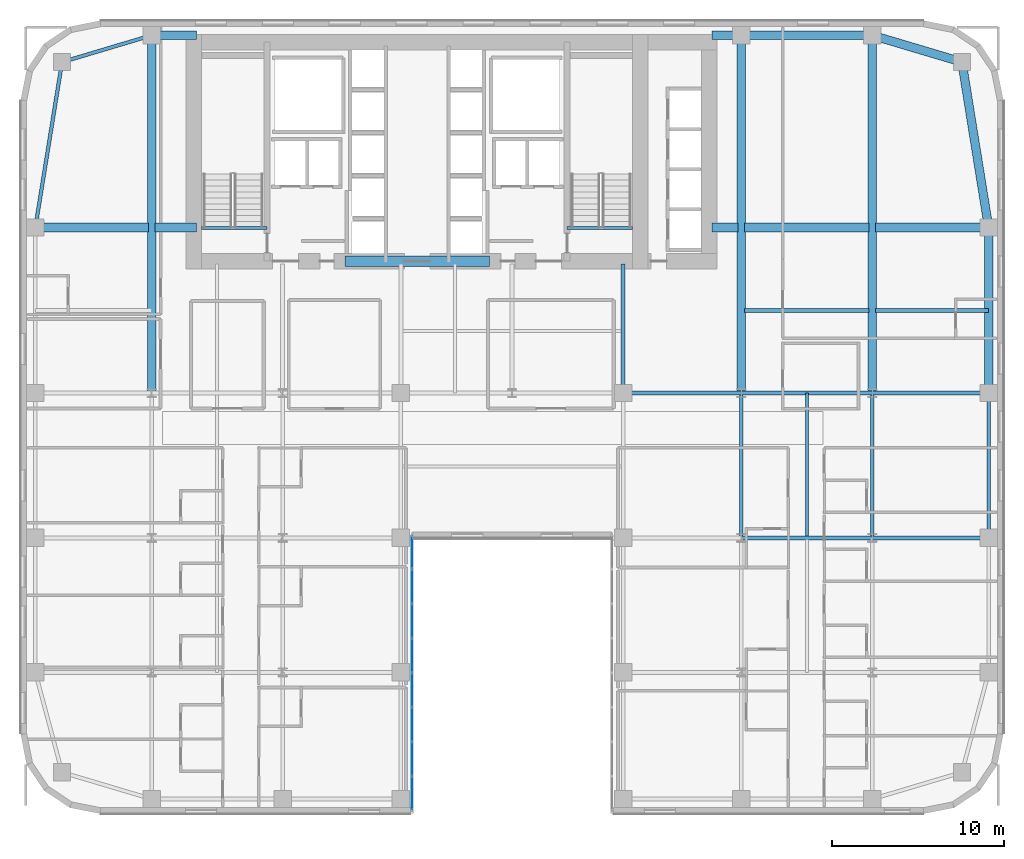
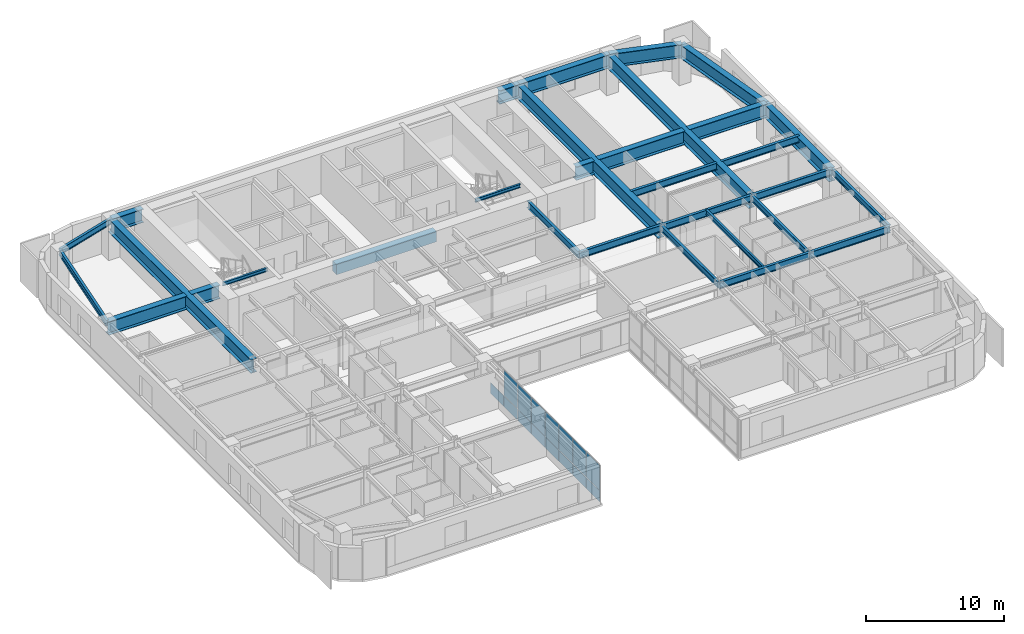
# One storey, part 12 of 25: 31 beams, 15 plates, 1 element without a shape of its own.
"""IFC4 building model written with IfcOpenShell, lengths in metres."""

from ifc_helpers import new_model, si_unit, direction, frame, origin, origin_2d, place, context, subcontext, project, spatial, rectangle, i_section, extrude, source, transform, mapped, material, layer, layer_set, material_profile, profile_set, type_object, type_shapes, element, aggregate, save


model = new_model("IFC4")

# Units and contexts
model_context = context("Model", 3, precision=1e-05, world=origin(), true_north=direction((0.0, 1.0)))
body_context = subcontext(model_context, "Body", "Model", "MODEL_VIEW")
ifc_project = project(units=[si_unit("LENGTHUNIT", "METRE"), si_unit("AREAUNIT", "SQUARE_METRE"), si_unit("VOLUMEUNIT", "CUBIC_METRE"), si_unit("PLANEANGLEUNIT", "RADIAN"), si_unit("MASSUNIT", "GRAM", prefix="KILO")], contexts=[model_context])

# Site, building, storey
site_placement = place(None, origin())
site = spatial("IfcSite", under=ifc_project, at=site_placement, CompositionType="ELEMENT")
building_placement = place(site_placement, origin())
building = spatial("IfcBuilding", under=site, at=building_placement, Name="Tolvann Quenvar Hotel", CompositionType="ELEMENT")
storey_placement = place(building_placement, frame((0.0, 0.0, 39.10009765625)))
storey = spatial("IfcBuildingStorey", under=building, at=storey_placement, Name="L08", CompositionType="ELEMENT", Elevation=39.10009765625)

# Beams
ifc_material_1 = material(Name="Concrete N50 (50 MPa)", Category="concrete")
ifc_material_profile_1 = material_profile(ifc_material_1, rectangle(XDim=0.60009765625, YDim=0.89990234375, at=origin_2d()), Name="RC600x900")
ifc_profile_set_1 = profile_set([ifc_material_profile_1], Name="Concrete N50 (50 MPa)")
beam_type_1 = type_object("IfcBeamType", Name="BM_LINT_RC600x900", PredefinedType="LINTEL", material=ifc_profile_set_1)
shared_shape_1 = source(origin(), body_context, "Body", "SweptSolid", [
    extrude(rectangle(XDim=0.60009765625, YDim=0.89990234375, at=origin_2d()), origin(), (0.0, 0.0, 1.0), 8.39990234375),
])
type_shapes(beam_type_1, [shared_shape_1])
beam_1_placement = place(storey_placement, frame((18.800048828125, 32.050048828125, 2.919921875), z_axis=(1.0, 0.0, 0.0), x_axis=(0.0, 1.0, 0.0)))
element("IfcBeam", 1, at=beam_1_placement, inside=storey, type_object=beam_type_1, Name="Core Coupling Lintel Beam (L08)", PredefinedType="LINTEL", context=body_context, shape_type="MappedRepresentation", body=[
    mapped(shared_shape_1, transform((0.0, 0.0, 0.0), x_axis=(1.0, 0.0, 0.0), y_axis=(0.0, 1.0, 0.0), z_axis=(0.0, 0.0, 1.0), scale=1.0)),
])
ifc_material_2 = material(Name="Steel Grade 350", Category="steel")
ifc_material_profile_2 = material_profile(ifc_material_2, i_section(OverallWidth=0.5, OverallDepth=1.199951171875, WebThickness=0.01611328125, FlangeThickness=0.0400390625, at=origin_2d()), Name="1200WB455")
ifc_profile_set_2 = profile_set([ifc_material_profile_2], Name="Steel Grade 350")
beam_type_2 = type_object("IfcBeamType", Name="BM_TG_1200WB455", PredefinedType="USERDEFINED", material=ifc_profile_set_2)
shared_shape_2 = source(origin(), body_context, "Body", "SweptSolid", [
    extrude(i_section(OverallWidth=0.5, OverallDepth=1.199951171875, WebThickness=0.01611328125, FlangeThickness=0.0400390625, at=origin_2d()), origin(), (0.0, 0.0, 1.0), 7.599853515625),
])
beam_2_placement = place(storey_placement, frame((49.39990234375, 45.14990234375, 2.77001953125), z_axis=(-1.0, 0.0, 0.0), x_axis=(0.0, -1.0, 0.0)))
element("IfcBeam", 2, at=beam_2_placement, inside=storey, type_object=beam_type_2, Name="BM-L08-FLK-E4", ObjectType="TRANSFER GIRDER", PredefinedType="USERDEFINED", context=body_context, shape_type="MappedRepresentation", body=[
    mapped(shared_shape_2, transform((0.0, 0.0, 0.0), x_axis=(1.0, 0.0, 0.0), y_axis=(0.0, 1.0, 0.0), z_axis=(0.0, 0.0, 1.0), scale=1.0)),
])
shared_shape_3 = source(origin(), body_context, "Body", "SweptSolid", [
    extrude(i_section(OverallWidth=0.5, OverallDepth=1.199951171875, WebThickness=0.01611328125, FlangeThickness=0.0400390625, at=origin_2d()), origin(), (0.0, 0.0, 1.0), 9.60009765625),
])
beam_3_placement = place(storey_placement, frame((56.14990234375, 24.39990234375, 2.77001953125), z_axis=(0.0, 1.0, 0.0), x_axis=(-1.0, 0.0, 0.0)))
element("IfcBeam", 3, at=beam_3_placement, inside=storey, type_object=beam_type_2, Name="BM-L08-FLK-E1", ObjectType="TRANSFER GIRDER", PredefinedType="USERDEFINED", context=body_context, shape_type="MappedRepresentation", body=[
    mapped(shared_shape_3, transform((0.0, 0.0, 0.0), x_axis=(1.0, 0.0, 0.0), y_axis=(0.0, 1.0, 0.0), z_axis=(0.0, 0.0, 1.0), scale=1.0)),
])
ifc_material_profile_3 = material_profile(ifc_material_2, i_section(OverallWidth=0.208984375, OverallDepth=0.528076171875, WebThickness=0.009521484375, FlangeThickness=0.01318359375, FilletRadius=0.013916015625, at=origin_2d()), Name="530UB82")
ifc_profile_set_3 = profile_set([ifc_material_profile_3], Name="Steel Grade 350")
beam_type_3 = type_object("IfcBeamType", Name="BM_SPAND_530UB82", PredefinedType="SPANDREL", material=ifc_profile_set_3)
shared_shape_4 = source(origin(), body_context, "Body", "SweptSolid", [
    extrude(i_section(OverallWidth=0.208984375, OverallDepth=0.528076171875, WebThickness=0.009521484375, FlangeThickness=0.01318359375, FilletRadius=0.013916015625, at=origin_2d()), origin(), (0.0, 0.0, 1.0), 5.42626953125),
])
beam_4_placement = place(storey_placement, frame((2.39990234375, 43.60009765625, 3.10595703125), z_axis=(0.958344815522, 0.285613750654, 0.0), x_axis=(-0.285613750654, 0.958344815522, 0.0)))
element("IfcBeam", 4, at=beam_4_placement, inside=storey, type_object=beam_type_3, Name="BM-L08-FLK-W3", PredefinedType="SPANDREL", context=body_context, shape_type="MappedRepresentation", body=[
    mapped(shared_shape_4, transform((0.0, 0.0, 0.0), x_axis=(1.0, 0.0, 0.0), y_axis=(0.0, 1.0, 0.0), z_axis=(0.0, 0.0, 1.0), scale=1.0)),
])
ifc_material_profile_4 = material_profile(ifc_material_2, i_section(OverallWidth=0.22900390625, OverallDepth=0.612060546875, WebThickness=0.011962890625, FlangeThickness=0.01953125, FilletRadius=0.013916015625, at=origin_2d()), Name="610UB125")
ifc_profile_set_4 = profile_set([ifc_material_profile_4], Name="Steel Grade 350")
beam_type_4 = type_object("IfcBeamType", Name="BM_GIRD_610UB125", PredefinedType="BEAM", material=ifc_profile_set_4)
shared_shape_5 = source(origin(), body_context, "Body", "SweptSolid", [
    extrude(i_section(OverallWidth=0.22900390625, OverallDepth=0.612060546875, WebThickness=0.011962890625, FlangeThickness=0.01953125, FilletRadius=0.013916015625, at=origin_2d()), origin(), (0.0, 0.0, 1.0), 6.75),
])
for number, where, z_axis, x_axis, name in (
    (5, (49.39990234375, 16.0, 3.06396484375), (1.0, 0.0, 0.0), (0.0, 1.0, 0.0), "BM-L08-EW-4-I4-J4"),
    (6, (49.39990234375, 24.39990234375, 3.06396484375), (1.0, 0.0, 0.0), (0.0, 1.0, 0.0), "BM-L08-EW-5-I5-J5"),
):
    element("IfcBeam", number, at=place(storey_placement, frame(where, z_axis=z_axis, x_axis=x_axis)), inside=storey, type_object=beam_type_4, Name=name, PredefinedType="BEAM", context=body_context, shape_type="MappedRepresentation", body=[
        mapped(shared_shape_5, transform((0.0, 0.0, 0.0), x_axis=(1.0, 0.0, 0.0), y_axis=(0.0, 1.0, 0.0), z_axis=(0.0, 0.0, 1.0), scale=1.0)),
    ])
shared_shape_6 = source(origin(), body_context, "Body", "SweptSolid", [
    extrude(i_section(OverallWidth=0.22900390625, OverallDepth=0.612060546875, WebThickness=0.011962890625, FlangeThickness=0.01953125, FilletRadius=0.013916015625, at=origin_2d()), origin(), (0.0, 0.0, 1.0), 7.599853515625),
])
for number, where, z_axis, x_axis, name in (
    (7, (41.800048828125, 16.0, 3.06396484375), (1.0, 0.0, 0.0), (0.0, 1.0, 0.0), "BM-L08-EW-4-H4-I4"),
    (8, (41.800048828125, 24.39990234375, 3.06396484375), (1.0, 0.0, 0.0), (0.0, 1.0, 0.0), "BM-L08-EW-5-H5-I5"),
):
    element("IfcBeam", number, at=place(storey_placement, frame(where, z_axis=z_axis, x_axis=x_axis)), inside=storey, type_object=beam_type_4, Name=name, PredefinedType="BEAM", context=body_context, shape_type="MappedRepresentation", body=[
        mapped(shared_shape_6, transform((0.0, 0.0, 0.0), x_axis=(1.0, 0.0, 0.0), y_axis=(0.0, 1.0, 0.0), z_axis=(0.0, 0.0, 1.0), scale=1.0)),
    ])
shared_shape_7 = source(origin(), body_context, "Body", "SweptSolid", [
    extrude(i_section(OverallWidth=0.22900390625, OverallDepth=0.612060546875, WebThickness=0.011962890625, FlangeThickness=0.01953125, FilletRadius=0.013916015625, at=origin_2d()), origin(), (0.0, 0.0, 1.0), 6.85009765625),
])
beam_5_placement = place(storey_placement, frame((34.949951171875, 24.39990234375, 3.06396484375), z_axis=(1.0, 0.0, 0.0), x_axis=(0.0, 1.0, 0.0)))
element("IfcBeam", 9, at=beam_5_placement, inside=storey, type_object=beam_type_4, Name="BM-L08-EW-5-F5-H5", PredefinedType="BEAM", context=body_context, shape_type="MappedRepresentation", body=[
    mapped(shared_shape_7, transform((0.0, 0.0, 0.0), x_axis=(1.0, 0.0, 0.0), y_axis=(0.0, 1.0, 0.0), z_axis=(0.0, 0.0, 1.0), scale=1.0)),
])
shared_shape_8 = source(origin(), body_context, "Body", "SweptSolid", [
    extrude(i_section(OverallWidth=0.208984375, OverallDepth=0.528076171875, WebThickness=0.009521484375, FlangeThickness=0.01318359375, FilletRadius=0.013916015625, at=origin_2d()), origin(), (0.0, 0.0, 1.0), 8.39990234375),
])
beam_6_placement = place(storey_placement, frame((56.14990234375, 16.0, 3.10595703125), z_axis=(0.0, 1.0, 0.0), x_axis=(-1.0, 0.0, 0.0)))
element("IfcBeam", 10, at=beam_6_placement, inside=storey, type_object=beam_type_3, Name="BM-L08-NS-J4-J5", PredefinedType="SPANDREL", context=body_context, shape_type="MappedRepresentation", body=[
    mapped(shared_shape_8, transform((0.0, 0.0, 0.0), x_axis=(1.0, 0.0, 0.0), y_axis=(0.0, 1.0, 0.0), z_axis=(0.0, 0.0, 1.0), scale=1.0)),
])
ifc_material_profile_5 = material_profile(ifc_material_2, i_section(OverallWidth=0.208984375, OverallDepth=0.532958984375, WebThickness=0.01025390625, FlangeThickness=0.015625, FilletRadius=0.013916015625, at=origin_2d()), Name="530UB92")
ifc_profile_set_5 = profile_set([ifc_material_profile_5], Name="Steel Grade 350")
beam_type_5 = type_object("IfcBeamType", Name="BM_GIRD_530UB92", PredefinedType="BEAM", material=ifc_profile_set_5)
shared_shape_9 = source(origin(), body_context, "Body", "SweptSolid", [
    extrude(i_section(OverallWidth=0.208984375, OverallDepth=0.532958984375, WebThickness=0.01025390625, FlangeThickness=0.015625, FilletRadius=0.013916015625, at=origin_2d()), origin(), (0.0, 0.0, 1.0), 8.39990234375),
])
type_shapes(beam_type_5, [shared_shape_9])
for number, where, z_axis, x_axis, name in (
    (11, (41.800048828125, 16.0, 3.103515625), (0.0, 1.0, 0.0), (-1.0, 0.0, 0.0), "BM-L08-NS-H4-H5"),
    (12, (49.39990234375, 16.0, 3.103515625), (0.0, 1.0, 0.0), (-1.0, 0.0, 0.0), "BM-L08-NS-I4-I5"),
):
    element("IfcBeam", number, at=place(storey_placement, frame(where, z_axis=z_axis, x_axis=x_axis)), inside=storey, type_object=beam_type_5, Name=name, PredefinedType="BEAM", context=body_context, shape_type="MappedRepresentation", body=[
        mapped(shared_shape_9, transform((0.0, 0.0, 0.0), x_axis=(1.0, 0.0, 0.0), y_axis=(0.0, 1.0, 0.0), z_axis=(0.0, 0.0, 1.0), scale=1.0)),
    ])
shared_shape_10 = source(origin(), body_context, "Body", "SweptSolid", [
    extrude(i_section(OverallWidth=0.22900390625, OverallDepth=0.612060546875, WebThickness=0.011962890625, FlangeThickness=0.01953125, FilletRadius=0.013916015625, at=origin_2d()), origin(), (0.0, 0.0, 1.0), 7.5),
])
beam_7_placement = place(storey_placement, frame((34.949951171875, 24.39990234375, 3.06396484375), z_axis=(0.0, 1.0, 0.0), x_axis=(-1.0, 0.0, 0.0)))
element("IfcBeam", 13, at=beam_7_placement, inside=storey, type_object=beam_type_4, Name="BM-L08-CORE-F5", PredefinedType="BEAM", context=body_context, shape_type="MappedRepresentation", body=[
    mapped(shared_shape_10, transform((0.0, 0.0, 0.0), x_axis=(1.0, 0.0, 0.0), y_axis=(0.0, 1.0, 0.0), z_axis=(0.0, 0.0, 1.0), scale=1.0)),
])
shared_shape_11 = source(origin(), body_context, "Body", "SweptSolid", [
    extrude(i_section(OverallWidth=0.208984375, OverallDepth=0.528076171875, WebThickness=0.009521484375, FlangeThickness=0.01318359375, FilletRadius=0.013916015625, at=origin_2d()), origin(), (0.0, 0.0, 1.0), 9.724365234375),
])
type_shapes(beam_type_3, [shared_shape_4, shared_shape_8, shared_shape_11])
beam_8_placement = place(storey_placement, frame((0.85009765625, 34.0, 3.10595703125), z_axis=(0.159372939192, 0.987218449105, 0.0), x_axis=(-0.987218449105, 0.159372939192, 0.0)))
element("IfcBeam", 14, at=beam_8_placement, inside=storey, type_object=beam_type_3, Name="BM-L08-FLK-W2", PredefinedType="SPANDREL", context=body_context, shape_type="MappedRepresentation", body=[
    mapped(shared_shape_11, transform((0.0, 0.0, 0.0), x_axis=(1.0, 0.0, 0.0), y_axis=(0.0, 1.0, 0.0), z_axis=(0.0, 0.0, 1.0), scale=1.0)),
])
shared_shape_12 = source(origin(), body_context, "Body", "SweptSolid", [
    extrude(i_section(OverallWidth=0.5, OverallDepth=1.199951171875, WebThickness=0.01611328125, FlangeThickness=0.0400390625, at=origin_2d()), origin(), (0.0, 0.0, 1.0), 20.75),
])
for number, where, z_axis, x_axis, name in (
    (15, (7.60009765625, 24.39990234375, 2.77001953125), (0.0, 1.0, 0.0), (-1.0, 0.0, 0.0), "BM-L08-FLK-WC"),
    (16, (41.800048828125, 24.39990234375, 2.77001953125), (0.0, 1.0, 0.0), (-1.0, 0.0, 0.0), "BM-L08-FLK-EH"),
    (17, (49.39990234375, 24.39990234375, 2.77001953125), (0.0, 1.0, 0.0), (-1.0, 0.0, 0.0), "BM-L08-FLK-EI"),
):
    element("IfcBeam", number, at=place(storey_placement, frame(where, z_axis=z_axis, x_axis=x_axis)), inside=storey, type_object=beam_type_2, Name=name, ObjectType="TRANSFER GIRDER", PredefinedType="USERDEFINED", context=body_context, shape_type="MappedRepresentation", body=[
        mapped(shared_shape_12, transform((0.0, 0.0, 0.0), x_axis=(1.0, 0.0, 0.0), y_axis=(0.0, 1.0, 0.0), z_axis=(0.0, 0.0, 1.0), scale=1.0)),
    ])
shared_shape_13 = source(origin(), body_context, "Body", "SweptSolid", [
    extrude(i_section(OverallWidth=0.5, OverallDepth=1.199951171875, WebThickness=0.01611328125, FlangeThickness=0.0400390625, at=origin_2d()), origin(), (0.0, 0.0, 1.0), 6.56982421875),
])
for number, where, z_axis, x_axis, name in (
    (18, (0.85009765625, 34.0, 2.77001953125), (1.0, 0.0, 0.0), (0.0, 1.0, 0.0), "BM-L08-CTW-MID1"),
    (19, (49.580078125, 34.0, 2.77001953125), (1.0, 0.0, 0.0), (0.0, 1.0, 0.0), "BM-L08-CTE-JD6C"),
):
    element("IfcBeam", number, at=place(storey_placement, frame(where, z_axis=z_axis, x_axis=x_axis)), inside=storey, type_object=beam_type_2, Name=name, ObjectType="TRANSFER GIRDER", PredefinedType="USERDEFINED", context=body_context, shape_type="MappedRepresentation", body=[
        mapped(shared_shape_13, transform((0.0, 0.0, 0.0), x_axis=(1.0, 0.0, 0.0), y_axis=(0.0, 1.0, 0.0), z_axis=(0.0, 0.0, 1.0), scale=1.0)),
    ])
shared_shape_14 = source(origin(), body_context, "Body", "SweptSolid", [
    extrude(i_section(OverallWidth=0.5, OverallDepth=1.199951171875, WebThickness=0.01611328125, FlangeThickness=0.0400390625, at=origin_2d()), origin(), (0.0, 0.0, 1.0), 2.419921875),
])
beam_9_placement = place(storey_placement, frame((7.780029296875, 34.0, 2.77001953125), z_axis=(1.0, 0.0, 0.0), x_axis=(0.0, 1.0, 0.0)))
element("IfcBeam", 20, at=beam_9_placement, inside=storey, type_object=beam_type_2, Name="BM-L08-CTW-MID2", ObjectType="TRANSFER GIRDER", PredefinedType="USERDEFINED", context=body_context, shape_type="MappedRepresentation", body=[
    mapped(shared_shape_14, transform((0.0, 0.0, 0.0), x_axis=(1.0, 0.0, 0.0), y_axis=(0.0, 1.0, 0.0), z_axis=(0.0, 0.0, 1.0), scale=1.0)),
])
shared_shape_15 = source(origin(), body_context, "Body", "SweptSolid", [
    extrude(i_section(OverallWidth=0.5, OverallDepth=1.199951171875, WebThickness=0.01611328125, FlangeThickness=0.0400390625, at=origin_2d()), origin(), (0.0, 0.0, 1.0), 2.599853515625),
])
beam_10_placement = place(storey_placement, frame((7.60009765625, 45.14990234375, 2.77001953125), z_axis=(1.0, 0.0, 0.0), x_axis=(0.0, 1.0, 0.0)))
element("IfcBeam", 21, at=beam_10_placement, inside=storey, type_object=beam_type_2, Name="BM-L08-CTW-CN", ObjectType="TRANSFER GIRDER", PredefinedType="USERDEFINED", context=body_context, shape_type="MappedRepresentation", body=[
    mapped(shared_shape_15, transform((0.0, 0.0, 0.0), x_axis=(1.0, 0.0, 0.0), y_axis=(0.0, 1.0, 0.0), z_axis=(0.0, 0.0, 1.0), scale=1.0)),
])
shared_shape_16 = source(origin(), body_context, "Body", "SweptSolid", [
    extrude(i_section(OverallWidth=0.5, OverallDepth=1.199951171875, WebThickness=0.01611328125, FlangeThickness=0.0400390625, at=origin_2d()), origin(), (0.0, 0.0, 1.0), 9.724365234375),
])
beam_11_placement = place(storey_placement, frame((56.14990234375, 34.0, 2.77001953125), z_axis=(-0.159372939192, 0.987218449105, 0.0), x_axis=(-0.987218449105, -0.159372939192, 0.0)))
element("IfcBeam", 22, at=beam_11_placement, inside=storey, type_object=beam_type_2, Name="BM-L08-FLK-E2", ObjectType="TRANSFER GIRDER", PredefinedType="USERDEFINED", context=body_context, shape_type="MappedRepresentation", body=[
    mapped(shared_shape_16, transform((0.0, 0.0, 0.0), x_axis=(1.0, 0.0, 0.0), y_axis=(0.0, 1.0, 0.0), z_axis=(0.0, 0.0, 1.0), scale=1.0)),
])
shared_shape_17 = source(origin(), body_context, "Body", "SweptSolid", [
    extrude(i_section(OverallWidth=0.5, OverallDepth=1.199951171875, WebThickness=0.01611328125, FlangeThickness=0.0400390625, at=origin_2d()), origin(), (0.0, 0.0, 1.0), 5.42626953125),
])
beam_12_placement = place(storey_placement, frame((54.60009765625, 43.60009765625, 2.77001953125), z_axis=(-0.958344815522, 0.285613750654, 0.0), x_axis=(-0.285613750654, -0.958344815522, 0.0)))
element("IfcBeam", 23, at=beam_12_placement, inside=storey, type_object=beam_type_2, Name="BM-L08-FLK-E3", ObjectType="TRANSFER GIRDER", PredefinedType="USERDEFINED", context=body_context, shape_type="MappedRepresentation", body=[
    mapped(shared_shape_17, transform((0.0, 0.0, 0.0), x_axis=(1.0, 0.0, 0.0), y_axis=(0.0, 1.0, 0.0), z_axis=(0.0, 0.0, 1.0), scale=1.0)),
])
shared_shape_18 = source(origin(), body_context, "Body", "SweptSolid", [
    extrude(i_section(OverallWidth=0.5, OverallDepth=1.199951171875, WebThickness=0.01611328125, FlangeThickness=0.0400390625, at=origin_2d()), origin(), (0.0, 0.0, 1.0), 1.699951171875),
])
beam_13_placement = place(storey_placement, frame((40.10009765625, 45.14990234375, 2.77001953125), z_axis=(1.0, 0.0, 0.0), x_axis=(0.0, 1.0, 0.0)))
element("IfcBeam", 24, at=beam_13_placement, inside=storey, type_object=beam_type_2, Name="BM-L08-CTE-HN", ObjectType="TRANSFER GIRDER", PredefinedType="USERDEFINED", context=body_context, shape_type="MappedRepresentation", body=[
    mapped(shared_shape_18, transform((0.0, 0.0, 0.0), x_axis=(1.0, 0.0, 0.0), y_axis=(0.0, 1.0, 0.0), z_axis=(0.0, 0.0, 1.0), scale=1.0)),
])
shared_shape_19 = source(origin(), body_context, "Body", "SweptSolid", [
    extrude(i_section(OverallWidth=0.5, OverallDepth=1.199951171875, WebThickness=0.01611328125, FlangeThickness=0.0400390625, at=origin_2d()), origin(), (0.0, 0.0, 1.0), 1.52001953125),
])
beam_14_placement = place(storey_placement, frame((40.10009765625, 34.0, 2.77001953125), z_axis=(1.0, 0.0, 0.0), x_axis=(0.0, 1.0, 0.0)))
element("IfcBeam", 25, at=beam_14_placement, inside=storey, type_object=beam_type_2, Name="BM-L08-CTE-JD6A", ObjectType="TRANSFER GIRDER", PredefinedType="USERDEFINED", context=body_context, shape_type="MappedRepresentation", body=[
    mapped(shared_shape_19, transform((0.0, 0.0, 0.0), x_axis=(1.0, 0.0, 0.0), y_axis=(0.0, 1.0, 0.0), z_axis=(0.0, 0.0, 1.0), scale=1.0)),
])
shared_shape_20 = source(origin(), body_context, "Body", "SweptSolid", [
    extrude(i_section(OverallWidth=0.5, OverallDepth=1.199951171875, WebThickness=0.01611328125, FlangeThickness=0.0400390625, at=origin_2d()), origin(), (0.0, 0.0, 1.0), 7.239990234375),
])
type_shapes(beam_type_2, [shared_shape_2, shared_shape_3, shared_shape_12, shared_shape_13, shared_shape_14, shared_shape_15, shared_shape_16, shared_shape_17, shared_shape_18, shared_shape_19, shared_shape_20])
beam_15_placement = place(storey_placement, frame((41.97998046875, 34.0, 2.77001953125), z_axis=(1.0, 0.0, 0.0), x_axis=(0.0, 1.0, 0.0)))
element("IfcBeam", 26, at=beam_15_placement, inside=storey, type_object=beam_type_2, Name="BM-L08-CTE-JD6B", ObjectType="TRANSFER GIRDER", PredefinedType="USERDEFINED", context=body_context, shape_type="MappedRepresentation", body=[
    mapped(shared_shape_20, transform((0.0, 0.0, 0.0), x_axis=(1.0, 0.0, 0.0), y_axis=(0.0, 1.0, 0.0), z_axis=(0.0, 0.0, 1.0), scale=1.0)),
])
shared_shape_21 = source(origin(), body_context, "Body", "SweptSolid", [
    extrude(i_section(OverallWidth=0.22900390625, OverallDepth=0.612060546875, WebThickness=0.011962890625, FlangeThickness=0.01953125, FilletRadius=0.013916015625, at=origin_2d()), origin(), (0.0, 0.0, 1.0), 7.239990234375),
])
beam_16_placement = place(storey_placement, frame((41.97998046875, 29.199951171875, 3.06396484375), z_axis=(1.0, 0.0, 0.0), x_axis=(0.0, 1.0, 0.0)))
element("IfcBeam", 27, at=beam_16_placement, inside=storey, type_object=beam_type_4, Name="BM-L08-EW-HI29", PredefinedType="BEAM", context=body_context, shape_type="MappedRepresentation", body=[
    mapped(shared_shape_21, transform((0.0, 0.0, 0.0), x_axis=(1.0, 0.0, 0.0), y_axis=(0.0, 1.0, 0.0), z_axis=(0.0, 0.0, 1.0), scale=1.0)),
])
shared_shape_22 = source(origin(), body_context, "Body", "SweptSolid", [
    extrude(i_section(OverallWidth=0.22900390625, OverallDepth=0.612060546875, WebThickness=0.011962890625, FlangeThickness=0.01953125, FilletRadius=0.013916015625, at=origin_2d()), origin(), (0.0, 0.0, 1.0), 6.56982421875),
])
type_shapes(beam_type_4, [shared_shape_5, shared_shape_6, shared_shape_7, shared_shape_10, shared_shape_21, shared_shape_22])
beam_17_placement = place(storey_placement, frame((49.580078125, 29.199951171875, 3.06396484375), z_axis=(1.0, 0.0, 0.0), x_axis=(0.0, 1.0, 0.0)))
element("IfcBeam", 28, at=beam_17_placement, inside=storey, type_object=beam_type_4, Name="BM-L08-EW-IJ29", PredefinedType="BEAM", context=body_context, shape_type="MappedRepresentation", body=[
    mapped(shared_shape_22, transform((0.0, 0.0, 0.0), x_axis=(1.0, 0.0, 0.0), y_axis=(0.0, 1.0, 0.0), z_axis=(0.0, 0.0, 1.0), scale=1.0)),
])
ifc_material_profile_6 = material_profile(ifc_material_2, i_section(OverallWidth=0.177978515625, OverallDepth=0.406005859375, WebThickness=0.0078125, FlangeThickness=0.0126953125, FilletRadius=0.011474609375, at=origin_2d()), Name="410UB60")
ifc_profile_set_6 = profile_set([ifc_material_profile_6], Name="Steel Grade 350")
beam_type_6 = type_object("IfcBeamType", Name="BM_JOIST_410UB60", PredefinedType="JOIST", material=ifc_profile_set_6)
shared_shape_23 = source(origin(), body_context, "Body", "SweptSolid", [
    extrude(i_section(OverallWidth=0.177978515625, OverallDepth=0.406005859375, WebThickness=0.0078125, FlangeThickness=0.0126953125, FilletRadius=0.011474609375, at=origin_2d()), origin(), (0.0, 0.0, 1.0), 8.29150390625),
])
type_shapes(beam_type_6, [shared_shape_23])
beam_18_placement = place(storey_placement, frame((45.60009765625, 16.1083984375, 3.1669921875), z_axis=(0.0, 1.0, 0.0), x_axis=(-1.0, 0.0, 0.0)))
element("IfcBeam", 29, at=beam_18_placement, inside=storey, type_object=beam_type_6, Name="BJ-L08-456-160", PredefinedType="JOIST", context=body_context, shape_type="MappedRepresentation", body=[
    mapped(shared_shape_23, transform((0.0, 0.0, 0.0), x_axis=(1.0, 0.0, 0.0), y_axis=(0.0, 1.0, 0.0), z_axis=(0.0, 0.0, 1.0), scale=1.0)),
])
ifc_material_profile_7 = material_profile(ifc_material_2, i_section(OverallWidth=0.166015625, OverallDepth=0.306884765625, WebThickness=0.006591796875, FlangeThickness=0.01171875, FilletRadius=0.011474609375, at=origin_2d()), Name="310UB46")
ifc_profile_set_7 = profile_set([ifc_material_profile_7], Name="Steel Grade 350")
beam_type_7 = type_object("IfcBeamType", Name="BM_JOIST_310UB46", PredefinedType="JOIST", material=ifc_profile_set_7)
shared_shape_24 = source(origin(), body_context, "Body", "SweptSolid", [
    extrude(i_section(OverallWidth=0.166015625, OverallDepth=0.306884765625, WebThickness=0.006591796875, FlangeThickness=0.01171875, FilletRadius=0.011474609375, at=origin_2d()), origin(), (0.0, 0.0, 1.0), 3.800048828125),
])
type_shapes(beam_type_7, [shared_shape_24])
for number, where, z_axis, x_axis, name in (
    (30, (10.5, 33.97998046875, 3.21630859375), (1.0, 0.0, 0.0), (0.0, 1.0, 0.0), "BM-HDR-STC1-L09"),
    (31, (31.699951171875, 33.97998046875, 3.21630859375), (1.0, 0.0, 0.0), (0.0, 1.0, 0.0), "BM-HDR-STC2-L09"),
):
    element("IfcBeam", number, at=place(storey_placement, frame(where, z_axis=z_axis, x_axis=x_axis)), inside=storey, type_object=beam_type_7, Name=name, PredefinedType="JOIST", context=body_context, shape_type="MappedRepresentation", body=[
        mapped(shared_shape_24, transform((0.0, 0.0, 0.0), x_axis=(1.0, 0.0, 0.0), y_axis=(0.0, 1.0, 0.0), z_axis=(0.0, 0.0, 1.0), scale=1.0)),
    ])

# Curtain wall, plates
ifc_material_3 = material(Name="Thermally broken anodised architectural aluminium 6063-T6 and laminated low-E glass", Category="aluminium")
ifc_layer_1 = layer(ifc_material_3, 0.179931640625)
ifc_layer_set_1 = layer_set([ifc_layer_1], Name="Thermally broken anodised architectural aluminium 6063-T6 and laminated low-E glass")
curtain_wall_type = type_object("IfcCurtainWallType", Name="CW_SYS_SLOT_03", PredefinedType="USERDEFINED", material=ifc_layer_set_1)
curtain_wall_placement = place(storey_placement, origin())
curtain_wall = element("IfcCurtainWall", 32, at=curtain_wall_placement, inside=storey, type_object=curtain_wall_type, Name="Curtain Wall CW-SLOT-03 (CWR-L08-E05)", ObjectType="UNITISED CURTAIN WALL", PredefinedType="USERDEFINED")
ifc_material_4 = material(Name="Low-iron laminated double glazing with solar-control coating", Category="glass")
ifc_layer_2 = layer(ifc_material_4, 0.028076171875)
ifc_layer_set_2 = layer_set([ifc_layer_2], Name="Low-iron laminated double glazing with solar-control coating")
plate_type = type_object("IfcPlateType", Name="CW_PAN_VISION_28", PredefinedType="CURTAIN_PANEL", material=ifc_layer_set_2)
shared_shape_25 = source(origin(), body_context, "Body", "SweptSolid", [
    extrude(rectangle(XDim=1.89501953125, YDim=0.028076171875, at=origin_2d()), origin(), (0.0, 0.0, 1.0), 0.9599609375),
])
plate_1_placement = place(storey_placement, frame((22.7099609375, 1.1923828125, 0.059814453125), z_axis=(0.0, 0.0, 1.0), x_axis=(0.0, 1.0, 0.0)))
plate_1 = element("IfcPlate", 33, at=plate_1_placement, type_object=plate_type, Name="CW-SLOT-03 panel 1.1", PredefinedType="CURTAIN_PANEL", context=body_context, shape_type="MappedRepresentation", body=[
    mapped(shared_shape_25, transform((0.0, 0.0, 0.0), x_axis=(1.0, 0.0, 0.0), y_axis=(0.0, 1.0, 0.0), z_axis=(0.0, 0.0, 1.0), scale=1.0)),
])
plate_2_placement = place(storey_placement, frame((22.7099609375, 15.157470703125, 0.059814453125), z_axis=(0.0, 0.0, 1.0), x_axis=(0.0, 1.0, 0.0)))
plate_2 = element("IfcPlate", 34, at=plate_2_placement, type_object=plate_type, Name="CW-SLOT-03 panel 8.1", PredefinedType="CURTAIN_PANEL", context=body_context, shape_type="MappedRepresentation", body=[
    mapped(shared_shape_25, transform((0.0, 0.0, 0.0), x_axis=(1.0, 0.0, 0.0), y_axis=(0.0, 1.0, 0.0), z_axis=(0.0, 0.0, 1.0), scale=1.0)),
])
shared_shape_26 = source(origin(), body_context, "Body", "SweptSolid", [
    extrude(rectangle(XDim=1.89501953125, YDim=0.028076171875, at=origin_2d()), origin(), (0.0, 0.0, 1.0), 2.22998046875),
])
plate_3_placement = place(storey_placement, frame((22.7099609375, 1.1923828125, 1.079833984375), z_axis=(0.0, 0.0, 1.0), x_axis=(0.0, 1.0, 0.0)))
plate_3 = element("IfcPlate", 35, at=plate_3_placement, type_object=plate_type, Name="CW-SLOT-03 panel 1.2", PredefinedType="CURTAIN_PANEL", context=body_context, shape_type="MappedRepresentation", body=[
    mapped(shared_shape_26, transform((0.0, 0.0, 0.0), x_axis=(1.0, 0.0, 0.0), y_axis=(0.0, 1.0, 0.0), z_axis=(0.0, 0.0, 1.0), scale=1.0)),
])
shared_shape_27 = source(origin(), body_context, "Body", "SweptSolid", [
    extrude(rectangle(XDim=1.929931640625, YDim=0.028076171875, at=origin_2d()), origin(), (0.0, 0.0, 1.0), 0.9599609375),
])
plate_4_placement = place(storey_placement, frame((22.7099609375, 3.175048828125, 0.059814453125), z_axis=(0.0, 0.0, 1.0), x_axis=(0.0, 1.0, 0.0)))
plate_4 = element("IfcPlate", 36, at=plate_4_placement, type_object=plate_type, Name="CW-SLOT-03 panel 2.1", PredefinedType="CURTAIN_PANEL", context=body_context, shape_type="MappedRepresentation", body=[
    mapped(shared_shape_27, transform((0.0, 0.0, 0.0), x_axis=(1.0, 0.0, 0.0), y_axis=(0.0, 1.0, 0.0), z_axis=(0.0, 0.0, 1.0), scale=1.0)),
])
plate_5_placement = place(storey_placement, frame((22.7099609375, 5.175048828125, 0.059814453125), z_axis=(0.0, 0.0, 1.0), x_axis=(0.0, 1.0, 0.0)))
plate_5 = element("IfcPlate", 37, at=plate_5_placement, type_object=plate_type, Name="CW-SLOT-03 panel 3.1", PredefinedType="CURTAIN_PANEL", context=body_context, shape_type="MappedRepresentation", body=[
    mapped(shared_shape_27, transform((0.0, 0.0, 0.0), x_axis=(1.0, 0.0, 0.0), y_axis=(0.0, 1.0, 0.0), z_axis=(0.0, 0.0, 1.0), scale=1.0)),
])
plate_6_placement = place(storey_placement, frame((22.7099609375, 7.175048828125, 0.059814453125), z_axis=(0.0, 0.0, 1.0), x_axis=(0.0, 1.0, 0.0)))
plate_6 = element("IfcPlate", 38, at=plate_6_placement, type_object=plate_type, Name="CW-SLOT-03 panel 4.1", PredefinedType="CURTAIN_PANEL", context=body_context, shape_type="MappedRepresentation", body=[
    mapped(shared_shape_27, transform((0.0, 0.0, 0.0), x_axis=(1.0, 0.0, 0.0), y_axis=(0.0, 1.0, 0.0), z_axis=(0.0, 0.0, 1.0), scale=1.0)),
])
plate_7_placement = place(storey_placement, frame((22.7099609375, 9.175048828125, 0.059814453125), z_axis=(0.0, 0.0, 1.0), x_axis=(0.0, 1.0, 0.0)))
plate_7 = element("IfcPlate", 39, at=plate_7_placement, type_object=plate_type, Name="CW-SLOT-03 panel 5.1", PredefinedType="CURTAIN_PANEL", context=body_context, shape_type="MappedRepresentation", body=[
    mapped(shared_shape_27, transform((0.0, 0.0, 0.0), x_axis=(1.0, 0.0, 0.0), y_axis=(0.0, 1.0, 0.0), z_axis=(0.0, 0.0, 1.0), scale=1.0)),
])
plate_8_placement = place(storey_placement, frame((22.7099609375, 11.175048828125, 0.059814453125), z_axis=(0.0, 0.0, 1.0), x_axis=(0.0, 1.0, 0.0)))
plate_8 = element("IfcPlate", 40, at=plate_8_placement, type_object=plate_type, Name="CW-SLOT-03 panel 6.1", PredefinedType="CURTAIN_PANEL", context=body_context, shape_type="MappedRepresentation", body=[
    mapped(shared_shape_27, transform((0.0, 0.0, 0.0), x_axis=(1.0, 0.0, 0.0), y_axis=(0.0, 1.0, 0.0), z_axis=(0.0, 0.0, 1.0), scale=1.0)),
])
plate_9_placement = place(storey_placement, frame((22.7099609375, 13.175048828125, 0.059814453125), z_axis=(0.0, 0.0, 1.0), x_axis=(0.0, 1.0, 0.0)))
plate_9 = element("IfcPlate", 41, at=plate_9_placement, type_object=plate_type, Name="CW-SLOT-03 panel 7.1", PredefinedType="CURTAIN_PANEL", context=body_context, shape_type="MappedRepresentation", body=[
    mapped(shared_shape_27, transform((0.0, 0.0, 0.0), x_axis=(1.0, 0.0, 0.0), y_axis=(0.0, 1.0, 0.0), z_axis=(0.0, 0.0, 1.0), scale=1.0)),
])
shared_shape_28 = source(origin(), body_context, "Body", "SweptSolid", [
    extrude(rectangle(XDim=1.929931640625, YDim=0.028076171875, at=origin_2d()), origin(), (0.0, 0.0, 1.0), 2.22998046875),
])
type_shapes(plate_type, [shared_shape_25, shared_shape_26, shared_shape_27, shared_shape_28])
plate_10_placement = place(storey_placement, frame((22.7099609375, 3.175048828125, 1.079833984375), z_axis=(0.0, 0.0, 1.0), x_axis=(0.0, 1.0, 0.0)))
plate_10 = element("IfcPlate", 42, at=plate_10_placement, type_object=plate_type, Name="CW-SLOT-03 panel 2.2", PredefinedType="CURTAIN_PANEL", context=body_context, shape_type="MappedRepresentation", body=[
    mapped(shared_shape_28, transform((0.0, 0.0, 0.0), x_axis=(1.0, 0.0, 0.0), y_axis=(0.0, 1.0, 0.0), z_axis=(0.0, 0.0, 1.0), scale=1.0)),
])
plate_11_placement = place(storey_placement, frame((22.7099609375, 5.175048828125, 1.079833984375), z_axis=(0.0, 0.0, 1.0), x_axis=(0.0, 1.0, 0.0)))
plate_11 = element("IfcPlate", 43, at=plate_11_placement, type_object=plate_type, Name="CW-SLOT-03 panel 3.2", PredefinedType="CURTAIN_PANEL", context=body_context, shape_type="MappedRepresentation", body=[
    mapped(shared_shape_28, transform((0.0, 0.0, 0.0), x_axis=(1.0, 0.0, 0.0), y_axis=(0.0, 1.0, 0.0), z_axis=(0.0, 0.0, 1.0), scale=1.0)),
])
plate_12_placement = place(storey_placement, frame((22.7099609375, 7.175048828125, 1.079833984375), z_axis=(0.0, 0.0, 1.0), x_axis=(0.0, 1.0, 0.0)))
plate_12 = element("IfcPlate", 44, at=plate_12_placement, type_object=plate_type, Name="CW-SLOT-03 panel 4.2", PredefinedType="CURTAIN_PANEL", context=body_context, shape_type="MappedRepresentation", body=[
    mapped(shared_shape_28, transform((0.0, 0.0, 0.0), x_axis=(1.0, 0.0, 0.0), y_axis=(0.0, 1.0, 0.0), z_axis=(0.0, 0.0, 1.0), scale=1.0)),
])
plate_13_placement = place(storey_placement, frame((22.7099609375, 9.175048828125, 1.079833984375), z_axis=(0.0, 0.0, 1.0), x_axis=(0.0, 1.0, 0.0)))
plate_13 = element("IfcPlate", 45, at=plate_13_placement, type_object=plate_type, Name="CW-SLOT-03 panel 5.2", PredefinedType="CURTAIN_PANEL", context=body_context, shape_type="MappedRepresentation", body=[
    mapped(shared_shape_28, transform((0.0, 0.0, 0.0), x_axis=(1.0, 0.0, 0.0), y_axis=(0.0, 1.0, 0.0), z_axis=(0.0, 0.0, 1.0), scale=1.0)),
])
plate_14_placement = place(storey_placement, frame((22.7099609375, 11.175048828125, 1.079833984375), z_axis=(0.0, 0.0, 1.0), x_axis=(0.0, 1.0, 0.0)))
plate_14 = element("IfcPlate", 46, at=plate_14_placement, type_object=plate_type, Name="CW-SLOT-03 panel 6.2", PredefinedType="CURTAIN_PANEL", context=body_context, shape_type="MappedRepresentation", body=[
    mapped(shared_shape_28, transform((0.0, 0.0, 0.0), x_axis=(1.0, 0.0, 0.0), y_axis=(0.0, 1.0, 0.0), z_axis=(0.0, 0.0, 1.0), scale=1.0)),
])
plate_15_placement = place(storey_placement, frame((22.7099609375, 13.175048828125, 1.079833984375), z_axis=(0.0, 0.0, 1.0), x_axis=(0.0, 1.0, 0.0)))
plate_15 = element("IfcPlate", 47, at=plate_15_placement, type_object=plate_type, Name="CW-SLOT-03 panel 7.2", PredefinedType="CURTAIN_PANEL", context=body_context, shape_type="MappedRepresentation", body=[
    mapped(shared_shape_28, transform((0.0, 0.0, 0.0), x_axis=(1.0, 0.0, 0.0), y_axis=(0.0, 1.0, 0.0), z_axis=(0.0, 0.0, 1.0), scale=1.0)),
])
aggregate(curtain_wall, [plate_1, plate_3, plate_4, plate_10, plate_5, plate_11, plate_6, plate_12, plate_7, plate_13, plate_8, plate_14, plate_9, plate_15, plate_2])

save(model, "model.ifc")
